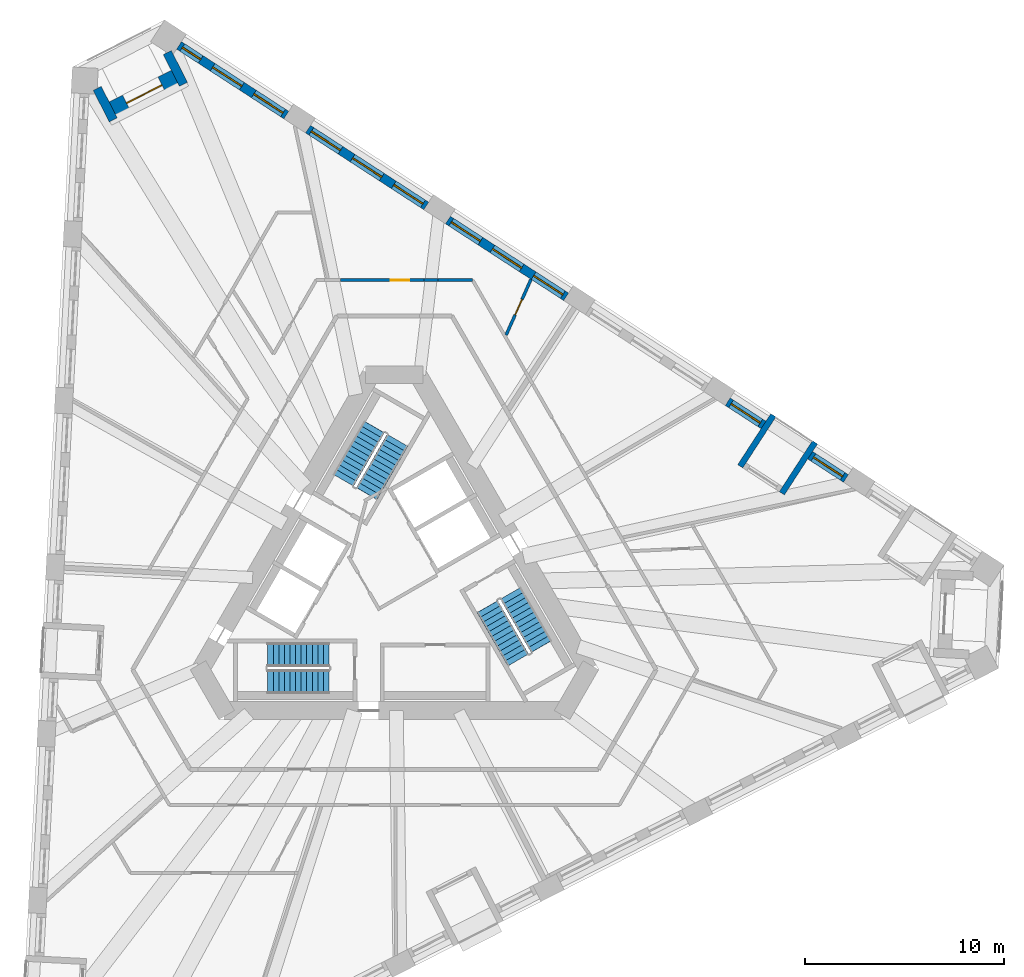
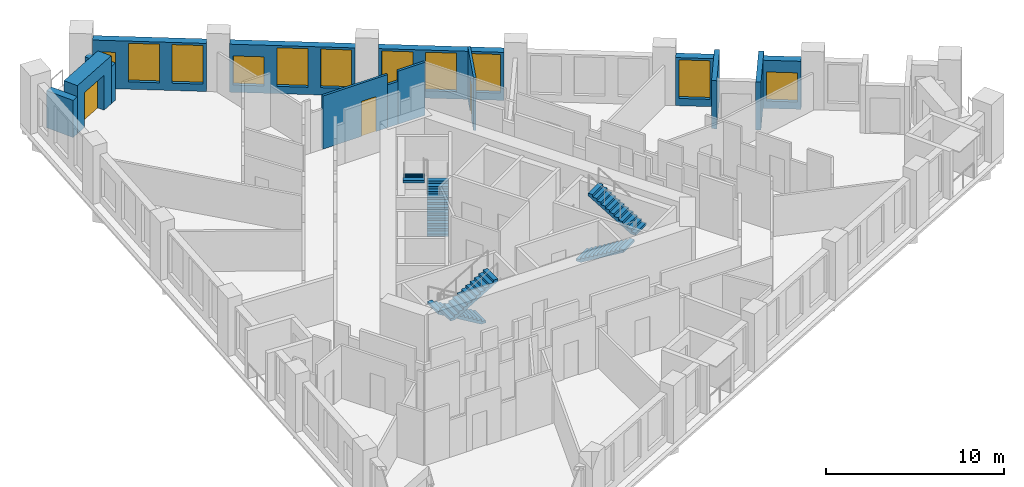
# One storey, part 8 of 12: 14 walls, 11 windows, 6 stair flights, 3 doors, 14 openings, 3 elements without a shape of their own.
"""IFC4 building model written with IfcOpenShell, lengths in metres."""

import ifcopenshell
import ifcopenshell.guid

model = None  # the IFC model being written
_history = None  # IfcOwnerHistory: only IFC2X3 demands one
_inside = {}  # id of a spatial element -> (the spatial element, [elements in it])
_under = {}  # id of a project, library or spatial element -> (it, [spatial elements below it])
_declared = {}  # id of a project -> (the project, [libraries it declares])
_typed = {}  # id of a type object -> (the type object, [elements of that type])
_made_of = {}  # id of a material, layer set ... -> (it, [elements and type objects made of it])


def new_model(schema):
    """Start an empty IFC model of exactly this schema.

    Asked for "IFC4X3", IfcOpenShell would pick the latest addendum, in which some entities
    have other attributes; the version numbers below select the first issue.
    IFC2X3 requires an IfcOwnerHistory on every rooted entity: one is made here for all.
    """
    global model, _history
    if schema == "IFC4X3":
        model = ifcopenshell.file(schema_version=(4, 3, 0, 0))
    else:
        model = ifcopenshell.file(schema=schema)
    _inside.clear()
    _under.clear()
    _declared.clear()
    _typed.clear()
    _made_of.clear()
    _history = None
    if model.schema == "IFC2X3":
        org = make("IfcOrganization", Name="unknown")
        user = make(
            "IfcPersonAndOrganization",
            ThePerson=make("IfcPerson", FamilyName="unknown"),
            TheOrganization=org,
        )
        app = make(
            "IfcApplication",
            ApplicationDeveloper=org,
            Version="unknown",
            ApplicationFullName="unknown",
            ApplicationIdentifier="unknown",
        )
        _history = make(
            "IfcOwnerHistory",
            OwningUser=user,
            OwningApplication=app,
            ChangeAction="ADDED",
            CreationDate=0,
        )
    return model


def make(cls, **values):
    """One entity of the class cls with the attributes given. An attribute that is None is left unset."""
    return model.create_entity(
        cls, **{name: value for name, value in values.items() if value is not None}
    )


def rooted(cls, **values):
    """An entity with a GlobalId (a new one), such as an element, a storey or a relation."""
    return make(cls, GlobalId=ifcopenshell.guid.new(), OwnerHistory=_history, **values)


def si_unit(unit_type, name, prefix=None):
    """IfcSIUnit, for example si_unit("LENGTHUNIT", "METRE", prefix="MILLI")."""
    return make("IfcSIUnit", UnitType=unit_type, Prefix=prefix, Name=name)


def assignment(units):
    """IfcUnitAssignment: the units of a project."""
    return None if units is None else make("IfcUnitAssignment", Units=units)


def point(xyz):
    """IfcCartesianPoint."""
    return None if xyz is None else make("IfcCartesianPoint", Coordinates=xyz)


def direction(xyz):
    """IfcDirection."""
    return None if xyz is None else make("IfcDirection", DirectionRatios=xyz)


def frame(location, z_axis=None, x_axis=None):
    """IfcAxis2Placement3D, a coordinate frame: its origin and axes. An axis left out is left unset."""
    return make(
        "IfcAxis2Placement3D",
        Location=point(location),
        Axis=direction(z_axis),
        RefDirection=direction(x_axis),
    )


def frame_2d(location, x_axis=None):
    """IfcAxis2Placement2D, a coordinate frame in the plane: its origin and x axis."""
    return make(
        "IfcAxis2Placement2D", Location=point(location), RefDirection=direction(x_axis)
    )


def origin():
    """The frame at (0, 0, 0) with its axes left unset."""
    return frame((0.0, 0.0, 0.0))


def place(relative_to, where):
    """IfcLocalPlacement: puts the frame where relative to a parent placement (None: the world)."""
    return make(
        "IfcLocalPlacement", PlacementRelTo=relative_to, RelativePlacement=where
    )


def context(
    kind, dimensions, precision=None, world=None, true_north=None, identifier=None
):
    """IfcGeometricRepresentationContext, for example the 3D "Model" context."""
    return make(
        "IfcGeometricRepresentationContext",
        ContextIdentifier=identifier,
        ContextType=kind,
        CoordinateSpaceDimension=dimensions,
        Precision=precision,
        WorldCoordinateSystem=world,
        TrueNorth=true_north,
    )


def subcontext(parent, identifier, kind, view, scale=None):
    """IfcGeometricRepresentationSubContext, for example "Body" below "Model"."""
    return make(
        "IfcGeometricRepresentationSubContext",
        ContextIdentifier=identifier,
        ContextType=kind,
        ParentContext=parent,
        TargetScale=scale,
        TargetView=view,
    )


def project(units=None, contexts=None):
    """IfcProject with its units and contexts."""
    return rooted(
        "IfcProject",
        Name="project",
        RepresentationContexts=contexts,
        UnitsInContext=assignment(units),
    )


def spatial(cls, under=None, at=None, **own):
    """A site, building, storey or space (cls), placed at a placement, below another one or the project."""
    s = rooted(cls, ObjectPlacement=at, **own)
    if under is not None:
        _under.setdefault(under.id(), (under, []))[1].append(s)
    return s


def polyline(points):
    """IfcPolyline through the points."""
    return make("IfcPolyline", Points=[point(p) for p in points])


def profile(cls, at=None, kind="AREA", **sizes):
    """A parametric profile (cls). Its sizes go by their IFC names, for example OverallWidth=200.0."""
    return make(cls, ProfileType=kind, Position=at, **sizes)


def rectangle(**sizes):
    """IfcRectangleProfileDef."""
    return profile("IfcRectangleProfileDef", **sizes)


def outline(outer, holes=None, kind="AREA"):
    """IfcArbitraryClosedProfileDef: a profile drawn as a closed curve; with holes, ...WithVoids."""
    if holes is None:
        return make("IfcArbitraryClosedProfileDef", ProfileType=kind, OuterCurve=outer)
    return make(
        "IfcArbitraryProfileDefWithVoids",
        ProfileType=kind,
        OuterCurve=outer,
        InnerCurves=holes,
    )


def extrude(swept, where, along, depth):
    """IfcExtrudedAreaSolid: the profile swept, set in the frame where, extruded along a direction by depth."""
    return make(
        "IfcExtrudedAreaSolid",
        SweptArea=swept,
        Position=where,
        ExtrudedDirection=direction(along),
        Depth=depth,
    )


def shape(context_of_items, identifier, shape_type, items):
    """IfcShapeRepresentation: the items that make up one representation, for example the "Body"."""
    return make(
        "IfcShapeRepresentation",
        ContextOfItems=context_of_items,
        RepresentationIdentifier=identifier,
        RepresentationType=shape_type,
        Items=items,
    )


def material(Name=None, Category=None):
    """IfcMaterial."""
    return make("IfcMaterial", Name=Name, Category=Category)


def layer(
    of_material, thickness, ventilated=None, Name=None, Category=None, Priority=None
):
    """IfcMaterialLayer: one layer of a wall or slab, of a material (None: an air gap)."""
    return make(
        "IfcMaterialLayer",
        Material=of_material,
        LayerThickness=thickness,
        IsVentilated=ventilated,
        Name=Name,
        Category=Category,
        Priority=Priority,
    )


def layer_set(layers, Name=None):
    """IfcMaterialLayerSet."""
    return make("IfcMaterialLayerSet", MaterialLayers=layers, LayerSetName=Name)


def made_of(thing, what):
    """Note that an element or type object is made of a material, layer set ...; save() writes the relation."""
    if what is not None:
        _made_of.setdefault(what.id(), (what, []))[1].append(thing)
    return thing


def type_object(cls, material=None, **own):
    """A type object (cls), such as IfcWallType, which elements share."""
    return made_of(rooted(cls, **own), material)


def element(
    cls,
    number,
    at=None,
    inside=None,
    cuts=None,
    type_object=None,
    material=None,
    context=None,
    identifier="Body",
    shape_type=None,
    held_by="IfcProductDefinitionShape",
    body=None,
    shapes=None,
    **own,
):
    """One element of the class cls, such as IfcWall. Its Tag is "e" and its number.

    at: its placement. inside: the storey or other place that contains it. cuts: it is an
    opening in that element (IfcRelVoidsElement). A single representation is given by context,
    identifier, shape_type and body (its items); several are given by shapes. held_by: the class
    of the entity that holds the representations. save() writes the other relations.
    """
    e = rooted(cls, Tag="e%d" % number, ObjectPlacement=at, **own)
    if body is not None:
        shapes = [shape(context, identifier, shape_type, body)]
    if shapes is not None:
        e.Representation = make(held_by, Representations=shapes)
    if inside is not None:
        _inside.setdefault(inside.id(), (inside, []))[1].append(e)
    if cuts is not None:
        rooted(
            "IfcRelVoidsElement", RelatingBuildingElement=cuts, RelatedOpeningElement=e
        )
    if type_object is not None:
        _typed.setdefault(type_object.id(), (type_object, []))[1].append(e)
    return made_of(e, material)


def fill(opening, filler):
    """IfcRelFillsElement: the door or window that sits in an opening."""
    return rooted(
        "IfcRelFillsElement",
        RelatingOpeningElement=opening,
        RelatedBuildingElement=filler,
    )


def aggregate(whole, parts):
    """IfcRelAggregates: a whole, such as a stair, and the parts it consists of."""
    return rooted("IfcRelAggregates", RelatingObject=whole, RelatedObjects=parts)


def save(model, path):
    """Write the relations noted so far, then the file.

    IfcRelAggregates (storeys below a building ...), IfcRelContainedInSpatialStructure (elements
    in a storey), IfcRelDefinesByType, IfcRelAssociatesMaterial and IfcRelDeclares: one each for
    every whole, place, type object, material and project.
    """
    for whole, parts in _under.values():
        aggregate(whole, parts)
    for where, things in _inside.values():
        rooted(
            "IfcRelContainedInSpatialStructure",
            RelatedElements=things,
            RelatingStructure=where,
        )
    for kind, things in _typed.values():
        rooted("IfcRelDefinesByType", RelatedObjects=things, RelatingType=kind)
    for what, things in _made_of.values():
        rooted("IfcRelAssociatesMaterial", RelatedObjects=things, RelatingMaterial=what)
    for by, libraries in _declared.values():
        rooted("IfcRelDeclares", RelatingContext=by, RelatedDefinitions=libraries)
    model.write(path)


model = new_model("IFC4")

# Units and contexts
model_context = context("Model", 3, precision=1e-05, world=origin(), true_north=direction((0.0, 1.0)))
body_context = subcontext(model_context, "Body", "Model", "MODEL_VIEW")
ifc_project = project(units=[si_unit("LENGTHUNIT", "METRE"), si_unit("AREAUNIT", "SQUARE_METRE"), si_unit("VOLUMEUNIT", "CUBIC_METRE"), si_unit("PLANEANGLEUNIT", "RADIAN"), si_unit("MASSUNIT", "GRAM", prefix="KILO")], contexts=[model_context])

# Site, building, storey
site_placement = place(None, origin())
site = spatial("IfcSite", under=ifc_project, at=site_placement, CompositionType="ELEMENT")
building_placement = place(site_placement, origin())
building = spatial("IfcBuilding", under=site, at=building_placement, Name="Tramontana Tower", CompositionType="ELEMENT")
storey_placement = place(building_placement, frame((0.0, 0.0, 133.60009765625)))
storey = spatial("IfcBuildingStorey", under=building, at=storey_placement, Name="L30", CompositionType="ELEMENT", Elevation=133.60009765625)

# Wall, opening, window
ifc_material_1 = material(Name="Precast concrete 60 MPa", Category="concrete")
ifc_layer_1 = layer(ifc_material_1, 0.449951171875)
ifc_layer_set_1 = layer_set([ifc_layer_1], Name="Precast concrete 60 MPa, 450 mm")
wall_type_1 = type_object("IfcWallType", Name="EW1 Stone-faced precast wall 450", PredefinedType="SOLIDWALL", material=ifc_layer_set_1)
wall_1_placement = place(storey_placement, frame((22.660400390625, 5.345703125, 0.0), z_axis=(0.0, 0.0, 1.0), x_axis=(-0.838675466927, 0.544631491171, 0.0)))
wall_1 = element("IfcWall", 1, at=wall_1_placement, inside=storey, type_object=wall_type_1, Name="External wall L30 face 2 bay 2", PredefinedType="SOLIDWALL", context=body_context, shape_type="SweptSolid", body=[
    extrude(rectangle(XDim=2.140380859375, YDim=0.449951171875, at=frame_2d((1.0703125, 0.0))), origin(), (0.0, 0.0, 1.0), 3.2998046875),
])
opening_1_placement = place(wall_1_placement, frame((0.1953125, 0.0, 0.5)))
opening_1 = element("IfcOpeningElement", 2, at=opening_1_placement, cuts=wall_1, Name="Opening M2L", PredefinedType="OPENING", context=body_context, shape_type="SweptSolid", body=[
    extrude(rectangle(XDim=1.75, YDim=2.0, at=frame_2d((0.875, 1.0))), frame((0.0, 0.23486328125, 0.0), z_axis=(0.0, -1.0, 0.0), x_axis=(1.0, 0.0, 0.0)), (0.0, 0.0, 1.0), 0.469970703125),
])
ifc_material_2 = material(Name="Aluminum frame, double glazing unit", Category="aluminium")
window_type_1 = type_object("IfcWindowType", Name="M2L Window 1.75 x 2", PartitioningType="SINGLE_PANEL", PredefinedType="WINDOW", material=ifc_material_2)
window_1_placement = place(opening_1_placement, origin())
window_1 = element("IfcWindow", 3, at=window_1_placement, inside=storey, type_object=window_type_1, Name="Window M2L L30 face 2 module 4", OverallHeight=2.0, OverallWidth=1.75, PartitioningType="SINGLE_PANEL", PredefinedType="WINDOW", context=body_context, shape_type="SweptSolid", body=[
    extrude(rectangle(XDim=1.75, YDim=2.0, at=frame_2d((0.875, 1.0))), frame((0.0, 0.030029296875, 0.0), z_axis=(0.0, -1.0, 0.0), x_axis=(1.0, 0.0, 0.0)), (0.0, 0.0, 1.0), 0.06005859375),
])
fill(opening_1, window_1)

wall_2_placement = place(storey_placement, frame((18.52490234375, 8.03125, 0.0), z_axis=(0.0, 0.0, 1.0), x_axis=(-0.838675466927, 0.544631491171, 0.0)))
wall_2 = element("IfcWall", 4, at=wall_2_placement, inside=storey, type_object=wall_type_1, Name="External wall L30 face 2 bay 2", PredefinedType="SOLIDWALL", context=body_context, shape_type="SweptSolid", body=[
    extrude(rectangle(XDim=2.140380859375, YDim=0.449951171875, at=frame_2d((1.0703125, 0.0))), origin(), (0.0, 0.0, 1.0), 3.2998046875),
])
opening_2_placement = place(wall_2_placement, frame((0.1953125, 0.0, 0.5)))
opening_2 = element("IfcOpeningElement", 5, at=opening_2_placement, cuts=wall_2, Name="Opening M2", PredefinedType="OPENING", context=body_context, shape_type="SweptSolid", body=[
    extrude(rectangle(XDim=1.75, YDim=2.64990234375, at=frame_2d((0.875, 1.324951171875))), frame((0.0, 0.23486328125, 0.0), z_axis=(0.0, -1.0, 0.0), x_axis=(1.0, 0.0, 0.0)), (0.0, 0.0, 1.0), 0.469970703125),
])
ifc_material_3 = material(Name="Aluminum frame, double glazing unit", Category="aluminium")
window_type_2 = type_object("IfcWindowType", Name="M2 Window 1.75 x 2.65", PartitioningType="SINGLE_PANEL", PredefinedType="WINDOW", material=ifc_material_3)
window_2_placement = place(opening_2_placement, origin())
window_2 = element("IfcWindow", 6, at=window_2_placement, inside=storey, type_object=window_type_2, Name="Window M2 L30 face 2 module 6", OverallHeight=2.64990234375, OverallWidth=1.75, PartitioningType="SINGLE_PANEL", PredefinedType="WINDOW", context=body_context, shape_type="SweptSolid", body=[
    extrude(rectangle(XDim=1.75, YDim=2.64990234375, at=frame_2d((0.875, 1.324951171875))), frame((0.0, 0.030029296875, 0.0), z_axis=(0.0, -1.0, 0.0), x_axis=(1.0, 0.0, 0.0)), (0.0, 0.0, 1.0), 0.06005859375),
])
fill(opening_2, window_2)

# Wall, openings, windows
wall_3_placement = place(storey_placement, frame((8.618408203125, 14.464599609375, 0.0), z_axis=(0.0, 0.0, 1.0), x_axis=(-0.838661251934, 0.544653380146, 0.0)))
wall_3 = element("IfcWall", 7, at=wall_3_placement, inside=storey, type_object=wall_type_1, Name="External wall L30 face 2 bay 4", PredefinedType="SOLIDWALL", context=body_context, shape_type="SweptSolid", body=[
    extrude(rectangle(XDim=7.071533203125, YDim=0.449951171875, at=frame_2d((3.53564453125, 0.0))), origin(), (0.0, 0.0, 1.0), 3.2998046875),
])
opening_3_placement = place(wall_3_placement, frame((0.1953125, 0.0, 0.5)))
opening_3 = element("IfcOpeningElement", 8, at=opening_3_placement, cuts=wall_3, Name="Opening M2", PredefinedType="OPENING", context=body_context, shape_type="SweptSolid", body=[
    extrude(rectangle(XDim=1.75, YDim=2.64990234375, at=frame_2d((0.875, 1.324951171875))), frame((0.0, 0.23486328125, 0.0), z_axis=(0.0, -1.0, 0.0), x_axis=(1.0, 0.0, 0.0)), (0.0, 0.0, 1.0), 0.469970703125),
])
opening_4_placement = place(wall_3_placement, frame((2.660888671875, 0.0, 0.5)))
opening_4 = element("IfcOpeningElement", 9, at=opening_4_placement, cuts=wall_3, Name="Opening M2", PredefinedType="OPENING", context=body_context, shape_type="SweptSolid", body=[
    extrude(rectangle(XDim=1.75, YDim=2.64990234375, at=frame_2d((0.875, 1.324951171875))), frame((0.0, 0.23486328125, 0.0), z_axis=(0.0, -1.0, 0.0), x_axis=(1.0, 0.0, 0.0)), (0.0, 0.0, 1.0), 0.469970703125),
])
opening_5_placement = place(wall_3_placement, frame((5.126220703125, 0.0, 0.5)))
opening_5 = element("IfcOpeningElement", 10, at=opening_5_placement, cuts=wall_3, Name="Opening M2", PredefinedType="OPENING", context=body_context, shape_type="SweptSolid", body=[
    extrude(rectangle(XDim=1.75, YDim=2.64990234375, at=frame_2d((0.875, 1.324951171875))), frame((0.0, 0.23486328125, 0.0), z_axis=(0.0, -1.0, 0.0), x_axis=(1.0, 0.0, 0.0)), (0.0, 0.0, 1.0), 0.469970703125),
])
window_3_placement = place(opening_3_placement, origin())
window_3 = element("IfcWindow", 11, at=window_3_placement, inside=storey, type_object=window_type_2, Name="Window M2 L30 face 2 module 10", OverallHeight=2.64990234375, OverallWidth=1.75, PartitioningType="SINGLE_PANEL", PredefinedType="WINDOW", context=body_context, shape_type="SweptSolid", body=[
    extrude(rectangle(XDim=1.75, YDim=2.64990234375, at=frame_2d((0.875, 1.324951171875))), frame((0.0, 0.030029296875, 0.0), z_axis=(0.0, -1.0, 0.0), x_axis=(1.0, 0.0, 0.0)), (0.0, 0.0, 1.0), 0.06005859375),
])
fill(opening_3, window_3)
window_4_placement = place(opening_4_placement, origin())
window_4 = element("IfcWindow", 12, at=window_4_placement, inside=storey, type_object=window_type_2, Name="Window M2 L30 face 2 module 11", OverallHeight=2.64990234375, OverallWidth=1.75, PartitioningType="SINGLE_PANEL", PredefinedType="WINDOW", context=body_context, shape_type="SweptSolid", body=[
    extrude(rectangle(XDim=1.75, YDim=2.64990234375, at=frame_2d((0.875, 1.324951171875))), frame((0.0, 0.030029296875, 0.0), z_axis=(0.0, -1.0, 0.0), x_axis=(1.0, 0.0, 0.0)), (0.0, 0.0, 1.0), 0.06005859375),
])
fill(opening_4, window_4)
window_5_placement = place(opening_5_placement, origin())
window_5 = element("IfcWindow", 13, at=window_5_placement, inside=storey, type_object=window_type_2, Name="Window M2 L30 face 2 module 12", OverallHeight=2.64990234375, OverallWidth=1.75, PartitioningType="SINGLE_PANEL", PredefinedType="WINDOW", context=body_context, shape_type="SweptSolid", body=[
    extrude(rectangle(XDim=1.75, YDim=2.64990234375, at=frame_2d((0.875, 1.324951171875))), frame((0.0, 0.030029296875, 0.0), z_axis=(0.0, -1.0, 0.0), x_axis=(1.0, 0.0, 0.0)), (0.0, 0.0, 1.0), 0.06005859375),
])
fill(opening_5, window_5)

wall_4_placement = place(storey_placement, frame((1.597412109375, 19.024169921875, 0.0), z_axis=(0.0, 0.0, 1.0), x_axis=(-0.838677021821, 0.54462909679, 0.0)))
wall_4 = element("IfcWall", 14, at=wall_4_placement, inside=storey, type_object=wall_type_1, Name="External wall L30 face 2 bay 5", PredefinedType="SOLIDWALL", context=body_context, shape_type="SweptSolid", body=[
    extrude(rectangle(XDim=7.071533203125, YDim=0.449951171875, at=frame_2d((3.53564453125, 0.0))), origin(), (0.0, 0.0, 1.0), 3.2998046875),
])
opening_6_placement = place(wall_4_placement, frame((0.1953125, 0.0, 0.5)))
opening_6 = element("IfcOpeningElement", 15, at=opening_6_placement, cuts=wall_4, Name="Opening M2", PredefinedType="OPENING", context=body_context, shape_type="SweptSolid", body=[
    extrude(rectangle(XDim=1.75, YDim=2.64990234375, at=frame_2d((0.875, 1.324951171875))), frame((0.0, 0.23486328125, 0.0), z_axis=(0.0, -1.0, 0.0), x_axis=(1.0, 0.0, 0.0)), (0.0, 0.0, 1.0), 0.469970703125),
])
opening_7_placement = place(wall_4_placement, frame((2.660888671875, 0.0, 0.5)))
opening_7 = element("IfcOpeningElement", 16, at=opening_7_placement, cuts=wall_4, Name="Opening M2", PredefinedType="OPENING", context=body_context, shape_type="SweptSolid", body=[
    extrude(rectangle(XDim=1.75, YDim=2.64990234375, at=frame_2d((0.875, 1.324951171875))), frame((0.0, 0.23486328125, 0.0), z_axis=(0.0, -1.0, 0.0), x_axis=(1.0, 0.0, 0.0)), (0.0, 0.0, 1.0), 0.469970703125),
])
opening_8_placement = place(wall_4_placement, frame((5.126220703125, 0.0, 0.5)))
opening_8 = element("IfcOpeningElement", 17, at=opening_8_placement, cuts=wall_4, Name="Opening M2L", PredefinedType="OPENING", context=body_context, shape_type="SweptSolid", body=[
    extrude(rectangle(XDim=1.75, YDim=2.0, at=frame_2d((0.875, 1.0))), frame((0.0, 0.23486328125, 0.0), z_axis=(0.0, -1.0, 0.0), x_axis=(1.0, 0.0, 0.0)), (0.0, 0.0, 1.0), 0.469970703125),
])
window_6_placement = place(opening_6_placement, origin())
window_6 = element("IfcWindow", 18, at=window_6_placement, inside=storey, type_object=window_type_2, Name="Window M2 L30 face 2 module 13", OverallHeight=2.64990234375, OverallWidth=1.75, PartitioningType="SINGLE_PANEL", PredefinedType="WINDOW", context=body_context, shape_type="SweptSolid", body=[
    extrude(rectangle(XDim=1.75, YDim=2.64990234375, at=frame_2d((0.875, 1.324951171875))), frame((0.0, 0.030029296875, 0.0), z_axis=(0.0, -1.0, 0.0), x_axis=(1.0, 0.0, 0.0)), (0.0, 0.0, 1.0), 0.06005859375),
])
fill(opening_6, window_6)
window_7_placement = place(opening_7_placement, origin())
window_7 = element("IfcWindow", 19, at=window_7_placement, inside=storey, type_object=window_type_2, Name="Window M2 L30 face 2 module 14", OverallHeight=2.64990234375, OverallWidth=1.75, PartitioningType="SINGLE_PANEL", PredefinedType="WINDOW", context=body_context, shape_type="SweptSolid", body=[
    extrude(rectangle(XDim=1.75, YDim=2.64990234375, at=frame_2d((0.875, 1.324951171875))), frame((0.0, 0.030029296875, 0.0), z_axis=(0.0, -1.0, 0.0), x_axis=(1.0, 0.0, 0.0)), (0.0, 0.0, 1.0), 0.06005859375),
])
fill(opening_7, window_7)
window_8_placement = place(opening_8_placement, origin())
window_8 = element("IfcWindow", 20, at=window_8_placement, inside=storey, type_object=window_type_1, Name="Window M2L L30 face 2 module 15", OverallHeight=2.0, OverallWidth=1.75, PartitioningType="SINGLE_PANEL", PredefinedType="WINDOW", context=body_context, shape_type="SweptSolid", body=[
    extrude(rectangle(XDim=1.75, YDim=2.0, at=frame_2d((0.875, 1.0))), frame((0.0, 0.030029296875, 0.0), z_axis=(0.0, -1.0, 0.0), x_axis=(1.0, 0.0, 0.0)), (0.0, 0.0, 1.0), 0.06005859375),
])
fill(opening_8, window_8)

wall_5_placement = place(storey_placement, frame((-5.423583984375, 23.583740234375, 0.0), z_axis=(0.0, 0.0, 1.0), x_axis=(-0.838675466927, 0.544631491171, 0.0)))
wall_5 = element("IfcWall", 21, at=wall_5_placement, inside=storey, type_object=wall_type_1, Name="External wall L30 face 2 bay 6", PredefinedType="SOLIDWALL", context=body_context, shape_type="SweptSolid", body=[
    extrude(rectangle(XDim=6.42138671875, YDim=0.449951171875, at=frame_2d((3.210693359375, 0.0))), origin(), (0.0, 0.0, 1.0), 3.2998046875),
])
opening_9_placement = place(wall_5_placement, frame((0.1953125, 0.0, 0.5)))
opening_9 = element("IfcOpeningElement", 22, at=opening_9_placement, cuts=wall_5, Name="Opening M2", PredefinedType="OPENING", context=body_context, shape_type="SweptSolid", body=[
    extrude(rectangle(XDim=1.75, YDim=2.64990234375, at=frame_2d((0.875, 1.324951171875))), frame((0.0, 0.23486328125, 0.0), z_axis=(0.0, -1.0, 0.0), x_axis=(1.0, 0.0, 0.0)), (0.0, 0.0, 1.0), 0.469970703125),
])
opening_10_placement = place(wall_5_placement, frame((2.660888671875, 0.0, 0.5)))
opening_10 = element("IfcOpeningElement", 23, at=opening_10_placement, cuts=wall_5, Name="Opening M2", PredefinedType="OPENING", context=body_context, shape_type="SweptSolid", body=[
    extrude(rectangle(XDim=1.75, YDim=2.64990234375, at=frame_2d((0.875, 1.324951171875))), frame((0.0, 0.23486328125, 0.0), z_axis=(0.0, -1.0, 0.0), x_axis=(1.0, 0.0, 0.0)), (0.0, 0.0, 1.0), 0.469970703125),
])
opening_11_placement = place(wall_5_placement, frame((5.126220703125, 0.0, 0.5)))
opening_11 = element("IfcOpeningElement", 24, at=opening_11_placement, cuts=wall_5, Name="Opening N2L", PredefinedType="OPENING", context=body_context, shape_type="SweptSolid", body=[
    extrude(rectangle(XDim=1.10009765625, YDim=2.0, at=frame_2d((0.550048828125, 1.0))), frame((0.0, 0.23486328125, 0.0), z_axis=(0.0, -1.0, 0.0), x_axis=(1.0, 0.0, 0.0)), (0.0, 0.0, 1.0), 0.469970703125),
])
window_9_placement = place(opening_9_placement, origin())
window_9 = element("IfcWindow", 25, at=window_9_placement, inside=storey, type_object=window_type_2, Name="Window M2 L30 face 2 module 16", OverallHeight=2.64990234375, OverallWidth=1.75, PartitioningType="SINGLE_PANEL", PredefinedType="WINDOW", context=body_context, shape_type="SweptSolid", body=[
    extrude(rectangle(XDim=1.75, YDim=2.64990234375, at=frame_2d((0.875, 1.324951171875))), frame((0.0, 0.030029296875, 0.0), z_axis=(0.0, -1.0, 0.0), x_axis=(1.0, 0.0, 0.0)), (0.0, 0.0, 1.0), 0.06005859375),
])
fill(opening_9, window_9)
window_10_placement = place(opening_10_placement, origin())
window_10 = element("IfcWindow", 26, at=window_10_placement, inside=storey, type_object=window_type_2, Name="Window M2 L30 face 2 module 17", OverallHeight=2.64990234375, OverallWidth=1.75, PartitioningType="SINGLE_PANEL", PredefinedType="WINDOW", context=body_context, shape_type="SweptSolid", body=[
    extrude(rectangle(XDim=1.75, YDim=2.64990234375, at=frame_2d((0.875, 1.324951171875))), frame((0.0, 0.030029296875, 0.0), z_axis=(0.0, -1.0, 0.0), x_axis=(1.0, 0.0, 0.0)), (0.0, 0.0, 1.0), 0.06005859375),
])
fill(opening_10, window_10)
ifc_material_4 = material(Name="Aluminum frame, double glazing unit", Category="aluminium")
window_type_3 = type_object("IfcWindowType", Name="N2L Window 1.1 x 2", PartitioningType="SINGLE_PANEL", PredefinedType="WINDOW", material=ifc_material_4)
window_11_placement = place(opening_11_placement, origin())
window_11 = element("IfcWindow", 27, at=window_11_placement, inside=storey, type_object=window_type_3, Name="Window N2L L30 face 2 module 18", OverallHeight=2.0, OverallWidth=1.10009765625, PartitioningType="SINGLE_PANEL", PredefinedType="WINDOW", context=body_context, shape_type="SweptSolid", body=[
    extrude(rectangle(XDim=1.10009765625, YDim=2.0, at=frame_2d((0.550048828125, 1.0))), frame((0.0, 0.030029296875, 0.0), z_axis=(0.0, -1.0, 0.0), x_axis=(1.0, 0.0, 0.0)), (0.0, 0.0, 1.0), 0.06005859375),
])
fill(opening_11, window_11)

# Walls
for number, where, z_axis, x_axis, name in (
    (28, (-14.916015625, 24.924072265625, 0.0), (0.0, 0.0, 1.0), (0.453952505513, -0.891025882193, 0.0), "Corner loggia side wall L30 K30l"),
    (29, (-11.396484375, 26.71728515625, 0.0), (0.0, 0.0, 1.0), (0.453952505513, -0.891025882193, 0.0), "Corner loggia side wall L30 K30r"),
):
    element("IfcWall", number, at=place(storey_placement, frame(where, z_axis=z_axis, x_axis=x_axis)), inside=storey, type_object=wall_type_1, Name=name, PredefinedType="SOLIDWALL", context=body_context, shape_type="SweptSolid", body=[
        extrude(rectangle(XDim=1.779052734375, YDim=0.449951171875, at=frame_2d((0.8896484375, 0.0))), origin(), (0.0, 0.0, 1.0), 2.5498046875),
    ])

# Wall, opening, door
ifc_material_5 = material(Name="Precast concrete 60 MPa", Category="concrete")
ifc_layer_2 = layer(ifc_material_5, 0.89990234375)
ifc_layer_set_2 = layer_set([ifc_layer_2], Name="EW2 Stone-faced corner loggia wall 900")
wall_type_2 = type_object("IfcWallType", Name="EW2 Stone-faced corner loggia wall 900", PredefinedType="SOLIDWALL", material=ifc_layer_set_2)
wall_6_placement = place(storey_placement, frame((-14.112060546875, 23.841796875, 0.0), z_axis=(0.0, 0.0, 1.0), x_axis=(0.890983062796, 0.454036542374, 0.0)))
wall_6 = element("IfcWall", 30, at=wall_6_placement, inside=storey, type_object=wall_type_2, Name="Corner loggia wall L30 K30", PredefinedType="SOLIDWALL", context=body_context, shape_type="SweptSolid", body=[
    extrude(rectangle(XDim=3.5, YDim=0.89990234375, at=frame_2d((1.75, 0.0))), origin(), (0.0, 0.0, 1.0), 3.2998046875),
])
opening_12_placement = place(wall_6_placement, frame((0.75, 0.0, 0.0)))
opening_12 = element("IfcOpeningElement", 31, at=opening_12_placement, cuts=wall_6, Name="Opening BD-30C", PredefinedType="OPENING", context=body_context, shape_type="SweptSolid", body=[
    extrude(rectangle(XDim=2.0, YDim=2.39990234375, at=frame_2d((1.0, 1.199951171875))), frame((0.0, 0.4599609375, 0.0), z_axis=(0.0, -1.0, 0.0), x_axis=(1.0, 0.0, 0.0)), (0.0, 0.0, 1.0), 0.919921875),
])
ifc_material_6 = material(Name="Aluminum frame, double glazing unit", Category="aluminium")
door_type_1 = type_object("IfcDoorType", Name="BC1 Sliding door 2 x 2.4", OperationType="SLIDING_TO_LEFT", PredefinedType="DOOR", material=ifc_material_6)
door_1_placement = place(opening_12_placement, origin())
door_1 = element("IfcDoor", 32, at=door_1_placement, inside=storey, type_object=door_type_1, Name="Corner loggia door L30 K30", OperationType="SLIDING_TO_LEFT", OverallHeight=2.39990234375, OverallWidth=2.0, PredefinedType="DOOR", context=body_context, shape_type="SweptSolid", body=[
    extrude(rectangle(XDim=2.0, YDim=2.39990234375, at=frame_2d((1.0, 1.199951171875))), frame((0.0, 0.02490234375, 0.0), z_axis=(0.0, -1.0, 0.0), x_axis=(1.0, 0.0, 0.0)), (0.0, 0.0, 1.0), 0.050048828125),
])
fill(opening_12, door_1)

# Walls
ifc_material_7 = material(Name="Precast concrete 60 MPa", Category="concrete")
ifc_layer_3 = layer(ifc_material_7, 0.300048828125)
ifc_layer_set_3 = layer_set([ifc_layer_3], Name="LW1 Stone-faced loggia wall 300")
wall_type_3 = type_object("IfcWallType", Name="LW1 Stone-faced loggia wall 300", PredefinedType="SOLIDWALL", material=ifc_layer_set_3)
for number, where, z_axis, x_axis, name in (
    (33, (21.10693359375, 7.1591796875, 0.0), (0.0, 0.0, 1.0), (-0.544647854685, -0.838664840319, 0.0), "Loggia return L30 G3S2.4a"),
    (34, (19.018310546875, 8.515625, 0.0), (0.0, 0.0, 1.0), (-0.544647854685, -0.838664840319, 0.0), "Loggia return L30 G3S2.4b"),
):
    element("IfcWall", number, at=place(storey_placement, frame(where, z_axis=z_axis, x_axis=x_axis)), inside=storey, type_object=wall_type_3, Name=name, PredefinedType="SOLIDWALL", context=body_context, shape_type="SweptSolid", body=[
        extrude(rectangle(XDim=3.0498046875, YDim=0.300048828125, at=frame_2d((1.52490234375, 0.0))), origin(), (0.0, 0.0, 1.0), 3.2998046875),
    ])

# Wall, opening, door
ifc_material_8 = material(Name="Gypsum board partition")
ifc_layer_4 = layer(ifc_material_8, 0.14990234375)
ifc_layer_set_4 = layer_set([ifc_layer_4], Name="PARTITION 150")
wall_type_4 = type_object("IfcWallType", Name="PARTITION 150", PredefinedType="PARTITIONING", material=ifc_layer_set_4)
wall_7_placement = place(storey_placement, frame((-2.711669921875, 15.300048828125, 0.0), z_axis=(0.0, 0.0, 1.0), x_axis=(1.0, 0.0, 0.0)))
wall_7 = element("IfcWall", 35, at=wall_7_placement, inside=storey, type_object=wall_type_4, Name="Wall v30-pw17-2", PredefinedType="PARTITIONING", context=body_context, shape_type="SweptSolid", body=[
    extrude(rectangle(XDim=4.20947265625, YDim=0.14990234375, at=frame_2d((2.104736328125, 0.0))), origin(), (0.0, 0.0, 1.0), 3.64990234375),
])
opening_13_placement = place(wall_7_placement, frame((2.517822265625, 0.0, 0.0)))
opening_13 = element("IfcOpeningElement", 36, at=opening_13_placement, cuts=wall_7, Name="Opening B3A-04", PredefinedType="OPENING", context=body_context, shape_type="SweptSolid", body=[
    extrude(rectangle(XDim=0.949951171875, YDim=2.39990234375, at=frame_2d((0.47509765625, 1.199951171875))), frame((0.0, 0.0849609375, 0.0), z_axis=(0.0, -1.0, 0.0), x_axis=(1.0, 0.0, 0.0)), (0.0, 0.0, 1.0), 0.169921875),
])
ifc_material_9 = material(Name="Painted timber", Category="wood")
door_type_2 = type_object("IfcDoorType", Name="DOOR ROOM 950", OperationType="SINGLE_SWING_LEFT", PredefinedType="DOOR", material=ifc_material_9)
door_2_placement = place(opening_13_placement, origin())
door_2 = element("IfcDoor", 37, at=door_2_placement, inside=storey, type_object=door_type_2, Name="Door B3A-04", OperationType="SINGLE_SWING_RIGHT", OverallHeight=2.39990234375, OverallWidth=0.949951171875, PredefinedType="DOOR", context=body_context, shape_type="SweptSolid", body=[
    extrude(rectangle(XDim=0.949951171875, YDim=2.39990234375, at=frame_2d((0.47509765625, 1.199951171875))), frame((0.0, 0.02490234375, 0.0), z_axis=(0.0, -1.0, 0.0), x_axis=(1.0, 0.0, 0.0)), (0.0, 0.0, 1.0), 0.050048828125),
])
fill(opening_13, door_2)

# Walls
wall_8_placement = place(storey_placement, frame((1.497802734375, 15.300048828125, 0.0), z_axis=(0.0, 0.0, 1.0), x_axis=(1.0, 0.0, 0.0)))
element("IfcWall", 38, at=wall_8_placement, inside=storey, type_object=wall_type_4, Name="Wall v30-pw17-3", PredefinedType="PARTITIONING", context=body_context, shape_type="SweptSolid", body=[
    extrude(rectangle(XDim=0.6796875, YDim=0.14990234375, at=frame_2d((0.33984375, 0.0))), origin(), (0.0, 0.0, 1.0), 2.949951171875),
])
wall_9_placement = place(storey_placement, frame((2.177490234375, 15.300048828125, 0.0), z_axis=(0.0, 0.0, 1.0), x_axis=(1.0, 0.0, 0.0)))
element("IfcWall", 39, at=wall_9_placement, inside=storey, type_object=wall_type_4, Name="Wall v30-pw17-4", PredefinedType="PARTITIONING", context=body_context, shape_type="SweptSolid", body=[
    extrude(rectangle(XDim=1.74853515625, YDim=0.14990234375, at=frame_2d((0.874267578125, 0.0))), origin(), (0.0, 0.0, 1.0), 3.64990234375),
])

# Wall, opening, door
wall_10_placement = place(storey_placement, frame((6.8564453125, 15.340576171875, 0.0), z_axis=(0.0, 0.0, 1.0), x_axis=(-0.408065741822, -0.912952545509, 0.0)))
wall_10 = element("IfcWall", 40, at=wall_10_placement, inside=storey, type_object=wall_type_4, Name="Wall v30-pw22", PredefinedType="PARTITIONING", context=body_context, shape_type="SweptSolid", body=[
    extrude(rectangle(XDim=3.066162109375, YDim=0.14990234375, at=frame_2d((1.533203125, 0.0))), origin(), (0.0, 0.0, 1.0), 3.64990234375),
])
opening_14_placement = place(wall_10_placement, frame((1.108154296875, 0.0, 0.0)))
opening_14 = element("IfcOpeningElement", 41, at=opening_14_placement, cuts=wall_10, Name="Opening B3A-07", PredefinedType="OPENING", context=body_context, shape_type="SweptSolid", body=[
    extrude(rectangle(XDim=0.85009765625, YDim=2.39990234375, at=frame_2d((0.425048828125, 1.199951171875))), frame((0.0, 0.0849609375, 0.0), z_axis=(0.0, -1.0, 0.0), x_axis=(1.0, 0.0, 0.0)), (0.0, 0.0, 1.0), 0.169921875),
])
ifc_material_10 = material(Name="Painted timber", Category="wood")
door_type_3 = type_object("IfcDoorType", Name="DOOR BATH 850", OperationType="SINGLE_SWING_LEFT", PredefinedType="DOOR", material=ifc_material_10)
door_3_placement = place(opening_14_placement, origin())
door_3 = element("IfcDoor", 42, at=door_3_placement, inside=storey, type_object=door_type_3, Name="Door B3A-07", OperationType="SINGLE_SWING_LEFT", OverallHeight=2.39990234375, OverallWidth=0.85009765625, PredefinedType="DOOR", context=body_context, shape_type="SweptSolid", body=[
    extrude(rectangle(XDim=0.85009765625, YDim=2.39990234375, at=frame_2d((0.425048828125, 1.199951171875))), frame((0.0, 0.02490234375, 0.0), z_axis=(0.0, -1.0, 0.0), x_axis=(1.0, 0.0, 0.0)), (0.0, 0.0, 1.0), 0.050048828125),
])
fill(opening_14, door_3)

# Stair, stair flights
ifc_material_11 = material(Name="Concrete 40 MPa", Category="concrete")
stair_type = type_object("IfcStairType", Name="EXIT STAIR 24 RISERS", PredefinedType="HALF_TURN_STAIR", material=ifc_material_11)
stair_1_placement = place(storey_placement, origin())
stair_1 = element("IfcStair", 43, at=stair_1_placement, inside=storey, type_object=stair_type, Name="L30 Exit stair ST1", PredefinedType="HALF_TURN_STAIR")
ifc_material_12 = material(Name="Concrete 40 MPa", Category="concrete")
ifc_layer_5 = layer(ifc_material_12, 0.14990234375)
ifc_layer_set_5 = layer_set([ifc_layer_5], Name="EXIT STAIR FLIGHT")
stair_flight_type = type_object("IfcStairFlightType", Name="EXIT STAIR FLIGHT", PredefinedType="STRAIGHT", material=ifc_layer_set_5)
stair_flight_1_placement = place(storey_placement, frame((-1.39111328125, 4.590576171875, 0.0), z_axis=(0.0, 0.0, 1.0), x_axis=(0.5, 0.866025403784, 0.0)))
stair_flight_1 = element("IfcStairFlight", 44, at=stair_flight_1_placement, type_object=stair_flight_type, Name="ST1 flight 1", NumberOfRisers=12, NumberOfTreads=11, PredefinedType="STRAIGHT", RiserHeight=0.166666667, TreadLength=0.28, context=body_context, shape_type="SweptSolid", body=[
    extrude(outline(polyline([(-0.006103515625, 0.0), (-0.006103515625, 0.0400390625), (0.0, 0.0400390625), (0.0, 0.166748046875), (0.280029296875, 0.166748046875), (0.280029296875, 0.333251953125), (0.56005859375, 0.333251953125), (0.56005859375, 0.5), (0.840087890625, 0.5), (0.840087890625, 0.666748046875), (1.1201171875, 0.666748046875), (1.1201171875, 0.833251953125), (1.39990234375, 0.833251953125), (1.39990234375, 1.0), (1.679931640625, 1.0), (1.679931640625, 1.166748046875), (1.9599609375, 1.166748046875), (1.9599609375, 1.333251953125), (2.239990234375, 1.333251953125), (2.239990234375, 1.5), (2.52001953125, 1.5), (2.52001953125, 1.666748046875), (2.800048828125, 1.666748046875), (2.800048828125, 1.833251953125), (3.080078125, 1.833251953125), (3.0859375, 1.833251953125), (3.0859375, 1.658935546875), (0.299072265625, 0.0), (-0.006103515625, 0.0)])), frame((0.0, 0.60009765625, 0.0), z_axis=(0.0, -1.0, 0.0), x_axis=(1.0, 0.0, 0.0)), (0.0, 0.0, 1.0), 1.199951171875),
])
stair_flight_2_placement = place(storey_placement, frame((-1.020263671875, 7.932861328125, 2.0), z_axis=(0.0, 0.0, 1.0), x_axis=(-0.5, -0.866025403784, 0.0)))
stair_flight_2 = element("IfcStairFlight", 45, at=stair_flight_2_placement, type_object=stair_flight_type, Name="ST1 flight 2", NumberOfRisers=12, NumberOfTreads=11, PredefinedType="STRAIGHT", RiserHeight=0.166666667, TreadLength=0.28, context=body_context, shape_type="SweptSolid", body=[
    extrude(outline(polyline([(-0.006103515625, 0.0), (-0.006103515625, 0.0400390625), (0.0, 0.0400390625), (0.0, 0.166748046875), (0.280029296875, 0.166748046875), (0.280029296875, 0.333251953125), (0.56005859375, 0.333251953125), (0.56005859375, 0.5), (0.840087890625, 0.5), (0.840087890625, 0.666748046875), (1.1201171875, 0.666748046875), (1.1201171875, 0.833251953125), (1.39990234375, 0.833251953125), (1.39990234375, 1.0), (1.679931640625, 1.0), (1.679931640625, 1.166748046875), (1.9599609375, 1.166748046875), (1.9599609375, 1.333251953125), (2.239990234375, 1.333251953125), (2.239990234375, 1.5), (2.52001953125, 1.5), (2.52001953125, 1.666748046875), (2.800048828125, 1.666748046875), (2.800048828125, 1.833251953125), (3.080078125, 1.833251953125), (3.0859375, 1.833251953125), (3.0859375, 1.658935546875), (0.299072265625, 0.0), (-0.006103515625, 0.0)])), frame((0.0, 0.60009765625, 0.0), z_axis=(0.0, -1.0, 0.0), x_axis=(1.0, 0.0, 0.0)), (0.0, 0.0, 1.0), 1.199951171875),
])
aggregate(stair_1, [stair_flight_1, stair_flight_2])

stair_2_placement = place(storey_placement, origin())
stair_2 = element("IfcStair", 46, at=stair_2_placement, inside=storey, type_object=stair_type, Name="L30 Exit stair ST2", PredefinedType="HALF_TURN_STAIR")
stair_flight_3_placement = place(storey_placement, frame((-3.280029296875, -3.5, 0.0), z_axis=(0.0, 0.0, 1.0), x_axis=(-1.0, 0.0, 0.0)))
stair_flight_3 = element("IfcStairFlight", 47, at=stair_flight_3_placement, type_object=stair_flight_type, Name="ST2 flight 1", NumberOfRisers=12, NumberOfTreads=11, PredefinedType="STRAIGHT", RiserHeight=0.166666667, TreadLength=0.28, context=body_context, shape_type="SweptSolid", body=[
    extrude(outline(polyline([(-0.006103515625, 0.0), (-0.006103515625, 0.0400390625), (0.0, 0.0400390625), (0.0, 0.166748046875), (0.280029296875, 0.166748046875), (0.280029296875, 0.333251953125), (0.56005859375, 0.333251953125), (0.56005859375, 0.5), (0.840087890625, 0.5), (0.840087890625, 0.666748046875), (1.1201171875, 0.666748046875), (1.1201171875, 0.833251953125), (1.39990234375, 0.833251953125), (1.39990234375, 1.0), (1.679931640625, 1.0), (1.679931640625, 1.166748046875), (1.9599609375, 1.166748046875), (1.9599609375, 1.333251953125), (2.239990234375, 1.333251953125), (2.239990234375, 1.5), (2.52001953125, 1.5), (2.52001953125, 1.666748046875), (2.800048828125, 1.666748046875), (2.800048828125, 1.833251953125), (3.080078125, 1.833251953125), (3.0859375, 1.833251953125), (3.0859375, 1.658935546875), (0.299072265625, 0.0), (-0.006103515625, 0.0)])), frame((0.0, 0.60009765625, 0.0), z_axis=(0.0, -1.0, 0.0), x_axis=(1.0, 0.0, 0.0)), (0.0, 0.0, 1.0), 1.199951171875),
])
stair_flight_4_placement = place(storey_placement, frame((-6.360107421875, -4.85009765625, 2.0), z_axis=(0.0, 0.0, 1.0), x_axis=(1.0, 0.0, 0.0)))
stair_flight_4 = element("IfcStairFlight", 48, at=stair_flight_4_placement, type_object=stair_flight_type, Name="ST2 flight 2", NumberOfRisers=12, NumberOfTreads=11, PredefinedType="STRAIGHT", RiserHeight=0.166666667, TreadLength=0.28, context=body_context, shape_type="SweptSolid", body=[
    extrude(outline(polyline([(-0.006103515625, 0.0), (-0.006103515625, 0.0400390625), (0.0, 0.0400390625), (0.0, 0.166748046875), (0.280029296875, 0.166748046875), (0.280029296875, 0.333251953125), (0.56005859375, 0.333251953125), (0.56005859375, 0.5), (0.840087890625, 0.5), (0.840087890625, 0.666748046875), (1.1201171875, 0.666748046875), (1.1201171875, 0.833251953125), (1.39990234375, 0.833251953125), (1.39990234375, 1.0), (1.679931640625, 1.0), (1.679931640625, 1.166748046875), (1.9599609375, 1.166748046875), (1.9599609375, 1.333251953125), (2.239990234375, 1.333251953125), (2.239990234375, 1.5), (2.52001953125, 1.5), (2.52001953125, 1.666748046875), (2.800048828125, 1.666748046875), (2.800048828125, 1.833251953125), (3.080078125, 1.833251953125), (3.0859375, 1.833251953125), (3.0859375, 1.658935546875), (0.299072265625, 0.0), (-0.006103515625, 0.0)])), frame((0.0, 0.60009765625, 0.0), z_axis=(0.0, -1.0, 0.0), x_axis=(1.0, 0.0, 0.0)), (0.0, 0.0, 1.0), 1.199951171875),
])
aggregate(stair_2, [stair_flight_3, stair_flight_4])

stair_3_placement = place(storey_placement, origin())
stair_3 = element("IfcStair", 49, at=stair_3_placement, inside=storey, type_object=stair_type, Name="L30 Exit stair ST3", PredefinedType="HALF_TURN_STAIR")
stair_flight_5_placement = place(storey_placement, frame((4.671142578125, -1.090576171875, 0.0), z_axis=(0.0, 0.0, 1.0), x_axis=(0.5, -0.866025403784, 0.0)))
stair_flight_5 = element("IfcStairFlight", 50, at=stair_flight_5_placement, type_object=stair_flight_type, Name="ST3 flight 1", NumberOfRisers=12, NumberOfTreads=11, PredefinedType="STRAIGHT", RiserHeight=0.166666667, TreadLength=0.28, context=body_context, shape_type="SweptSolid", body=[
    extrude(outline(polyline([(-0.006103515625, 0.0), (-0.006103515625, 0.0400390625), (0.0, 0.0400390625), (0.0, 0.166748046875), (0.280029296875, 0.166748046875), (0.280029296875, 0.333251953125), (0.56005859375, 0.333251953125), (0.56005859375, 0.5), (0.840087890625, 0.5), (0.840087890625, 0.666748046875), (1.1201171875, 0.666748046875), (1.1201171875, 0.833251953125), (1.39990234375, 0.833251953125), (1.39990234375, 1.0), (1.679931640625, 1.0), (1.679931640625, 1.166748046875), (1.9599609375, 1.166748046875), (1.9599609375, 1.333251953125), (2.239990234375, 1.333251953125), (2.239990234375, 1.5), (2.52001953125, 1.5), (2.52001953125, 1.666748046875), (2.800048828125, 1.666748046875), (2.800048828125, 1.833251953125), (3.080078125, 1.833251953125), (3.0859375, 1.833251953125), (3.0859375, 1.658935546875), (0.299072265625, 0.0), (-0.006103515625, 0.0)])), frame((0.0, 0.60009765625, 0.0), z_axis=(0.0, -1.0, 0.0), x_axis=(1.0, 0.0, 0.0)), (0.0, 0.0, 1.0), 1.199951171875),
])
stair_flight_6_placement = place(storey_placement, frame((7.380126953125, -3.0830078125, 2.0), z_axis=(0.0, 0.0, 1.0), x_axis=(-0.5, 0.866025403784, 0.0)))
stair_flight_6 = element("IfcStairFlight", 51, at=stair_flight_6_placement, type_object=stair_flight_type, Name="ST3 flight 2", NumberOfRisers=12, NumberOfTreads=11, PredefinedType="STRAIGHT", RiserHeight=0.166666667, TreadLength=0.28, context=body_context, shape_type="SweptSolid", body=[
    extrude(outline(polyline([(-0.006103515625, 0.0), (-0.006103515625, 0.0400390625), (0.0, 0.0400390625), (0.0, 0.166748046875), (0.280029296875, 0.166748046875), (0.280029296875, 0.333251953125), (0.56005859375, 0.333251953125), (0.56005859375, 0.5), (0.840087890625, 0.5), (0.840087890625, 0.666748046875), (1.1201171875, 0.666748046875), (1.1201171875, 0.833251953125), (1.39990234375, 0.833251953125), (1.39990234375, 1.0), (1.679931640625, 1.0), (1.679931640625, 1.166748046875), (1.9599609375, 1.166748046875), (1.9599609375, 1.333251953125), (2.239990234375, 1.333251953125), (2.239990234375, 1.5), (2.52001953125, 1.5), (2.52001953125, 1.666748046875), (2.800048828125, 1.666748046875), (2.800048828125, 1.833251953125), (3.080078125, 1.833251953125), (3.0859375, 1.833251953125), (3.0859375, 1.658935546875), (0.299072265625, 0.0), (-0.006103515625, 0.0)])), frame((0.0, 0.60009765625, 0.0), z_axis=(0.0, -1.0, 0.0), x_axis=(1.0, 0.0, 0.0)), (0.0, 0.0, 1.0), 1.199951171875),
])
aggregate(stair_3, [stair_flight_5, stair_flight_6])

save(model, "model.ifc")
